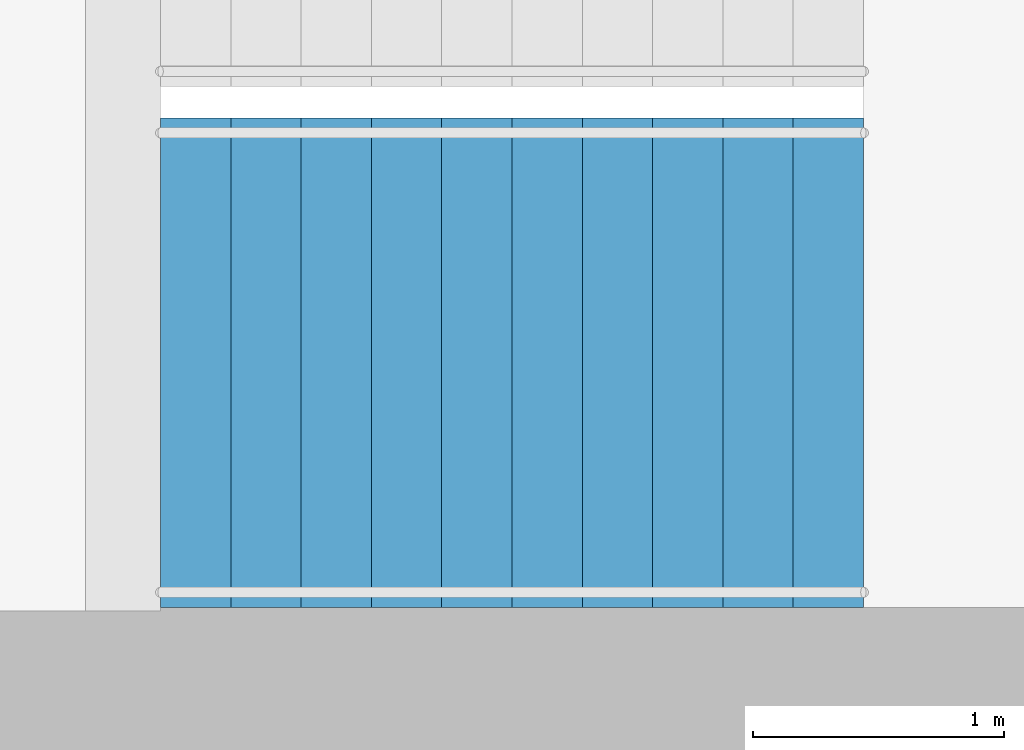
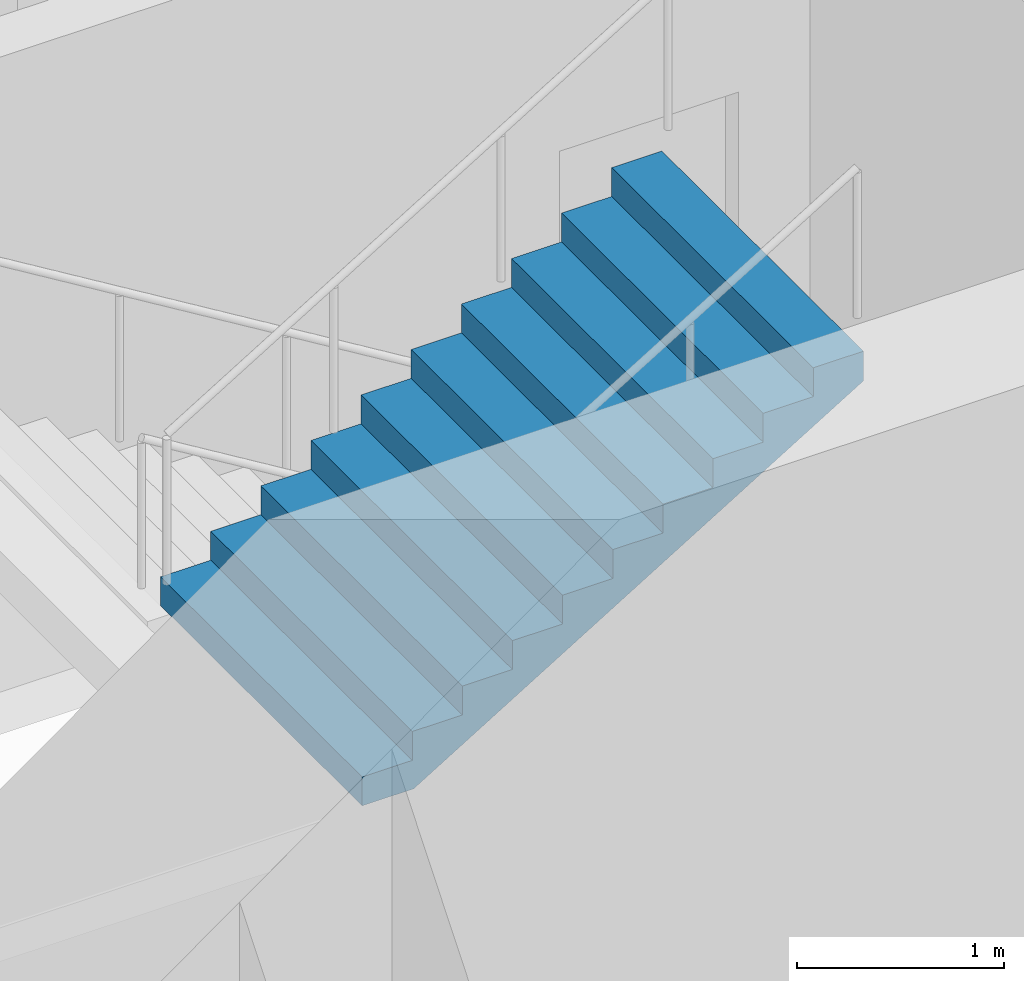
# One storey, part 20 of 22: 1 stair flight, 1 element without a shape of its own.
"""IFC4 building model written with IfcOpenShell, lengths in metres."""

from ifc_helpers import new_model, si_unit, direction, frame, origin, place, context, subcontext, project, spatial, triangles, material, type_object, element, aggregate, save


model = new_model("IFC4")

# Units and contexts
model_context = context("Model", 3, precision=1e-05, world=origin(), true_north=direction((0.0, 1.0)))
body_context = subcontext(model_context, "Body", "Model", "MODEL_VIEW")
ifc_project = project(units=[si_unit("LENGTHUNIT", "METRE"), si_unit("AREAUNIT", "SQUARE_METRE"), si_unit("VOLUMEUNIT", "CUBIC_METRE"), si_unit("PLANEANGLEUNIT", "RADIAN"), si_unit("MASSUNIT", "GRAM", prefix="KILO")], contexts=[model_context])

# Site, building, storey
site_placement = place(None, origin())
site = spatial("IfcSite", under=ifc_project, at=site_placement, CompositionType="ELEMENT")
building_placement = place(site_placement, origin())
building = spatial("IfcBuilding", under=site, at=building_placement, Name="Orbita Commons", CompositionType="ELEMENT")
storey_placement = place(building_placement, frame((0.0, 0.0, 167.35009765625)))
storey = spatial("IfcBuildingStorey", under=building, at=storey_placement, Name="L41", CompositionType="ELEMENT", Elevation=167.35009765625)

# Stair, stair flight
ifc_material_1 = material(Name="Precast concrete C40/50", Category="concrete")
stair_type = type_object("IfcStairType", Name="Exit stair S2 2 flights 11 risers 170", PredefinedType="HALF_TURN_STAIR", material=ifc_material_1)
stair_placement = place(storey_placement, origin())
stair = element("IfcStair", 1, at=stair_placement, inside=storey, type_object=stair_type, Name="Exit stair S2 L41", PredefinedType="HALF_TURN_STAIR")
ifc_material_2 = material(Name="Precast concrete C40/50", Category="concrete")
stair_flight_type = type_object("IfcStairFlightType", Name="Stair flight 11 risers 170 x 280", PredefinedType="STRAIGHT", material=ifc_material_2)
stair_flight_placement = place(storey_placement, frame((60.75, 27.199951171875, 1.875), z_axis=(0.0, 0.0, 1.0), x_axis=(1.0, 0.0, 0.0)))
stair_flight = element("IfcStairFlight", 2, at=stair_flight_placement, type_object=stair_flight_type, Name="S2 flight 2", NumberOfRisers=11, NumberOfTreads=10, PredefinedType="STRAIGHT", RiserHeight=0.170454545, TreadLength=0.28, context=body_context, shape_type="Tessellation", body=[
    triangles([(0.0, 0.974976, 0.0), (0.0, 0.974976, 0.021307), (0.0, 0.81248, 0.021307), (0.0, 0.81248, 0.0), (0.0, 0.649984, 0.021307), (0.0, 0.649984, 0.0), (0.0, 0.487488, 0.021307), (0.0, 0.487488, 0.0), (0.0, 0.324992, 0.021307), (0.0, 0.324992, 0.0), (0.0, 0.162496, 0.021307), (0.0, 0.162496, 0.0), (0.0, 0.0, 0.021307), (0.0, 0.0, 0.0), (0.0, -0.162496, 0.021307), (0.0, -0.162496, 0.0), (0.0, -0.324992, 0.021307), (0.0, -0.324992, 0.0), (0.0, -0.487488, 0.021307), (0.0, -0.487488, 0.0), (0.0, -0.649984, 0.021307), (0.0, -0.649984, 0.0), (0.0, -0.81248, 0.021307), (0.0, -0.81248, 0.0), (0.0, -0.974976, 0.021307), (0.0, -0.974976, 0.0), (0.0, 0.974976, 0.042614), (0.0, 0.81248, 0.042614), (0.0, 0.649984, 0.042614), (0.0, 0.487488, 0.042614), (0.0, 0.324992, 0.042614), (0.0, 0.162496, 0.042614), (0.0, 0.0, 0.042614), (0.0, -0.162496, 0.042614), (0.0, -0.324992, 0.042614), (0.0, -0.487488, 0.042614), (0.0, -0.649984, 0.042614), (0.0, -0.81248, 0.042614), (0.0, -0.974976, 0.042614), (0.0, 0.974976, 0.06392), (0.0, 0.81248, 0.06392), (0.0, 0.649984, 0.06392), (0.0, 0.487488, 0.06392), (0.0, 0.324992, 0.06392), (0.0, 0.162496, 0.06392), (0.0, 0.0, 0.06392), (0.0, -0.162496, 0.06392), (0.0, -0.324992, 0.06392), (0.0, -0.487488, 0.06392), (0.0, -0.649984, 0.06392), (0.0, -0.81248, 0.06392), (0.0, -0.974976, 0.06392), (0.0, 0.974976, 0.085227), (0.0, 0.81248, 0.085227), (0.0, 0.649984, 0.085227), (0.0, 0.487488, 0.085227), (0.0, 0.324992, 0.085227), (0.0, 0.162496, 0.085227), (0.0, 0.0, 0.085227), (0.0, -0.162496, 0.085227), (0.0, -0.324992, 0.085227), (0.0, -0.487488, 0.085227), (0.0, -0.649984, 0.085227), (0.0, -0.81248, 0.085227), (0.0, -0.974976, 0.085227), (0.0, 0.974976, 0.106534), (0.0, 0.81248, 0.106534), (0.0, 0.649984, 0.106534), (0.0, 0.487488, 0.106534), (0.0, 0.324992, 0.106534), (0.0, 0.162496, 0.106534), (0.0, 0.0, 0.106534), (0.0, -0.162496, 0.106534), (0.0, -0.324992, 0.106534), (0.0, -0.487488, 0.106534), (0.0, -0.649984, 0.106534), (0.0, -0.81248, 0.106534), (0.0, -0.974976, 0.106534), (0.0, 0.974976, 0.127841), (0.0, 0.81248, 0.127841), (0.0, 0.649984, 0.127841), (0.0, 0.487488, 0.127841), (0.0, 0.324992, 0.127841), (0.0, 0.162496, 0.127841), (0.0, 0.0, 0.127841), (0.0, -0.162496, 0.127841), (0.0, -0.324992, 0.127841), (0.0, -0.487488, 0.127841), (0.0, -0.649984, 0.127841), (0.0, -0.81248, 0.127841), (0.0, -0.974976, 0.127841), (0.0, 0.974976, 0.149148), (0.0, 0.81248, 0.149148), (0.0, 0.649984, 0.149148), (0.0, 0.487488, 0.149148), (0.0, 0.324992, 0.149148), (0.0, 0.162496, 0.149148), (0.0, 0.0, 0.149148), (0.0, -0.162496, 0.149148), (0.0, -0.324992, 0.149148), (0.0, -0.487488, 0.149148), (0.0, -0.649984, 0.149148), (0.0, -0.81248, 0.149148), (0.0, -0.974976, 0.149148), (0.0, 0.974976, 0.170455), (0.0, 0.81248, 0.170455), (0.0, 0.649984, 0.170455), (0.0, 0.487488, 0.170455), (0.0, 0.324992, 0.170455), (0.0, 0.162496, 0.170455), (0.0, 0.0, 0.170455), (0.0, -0.162496, 0.170455), (0.0, -0.324992, 0.170455), (0.0, -0.487488, 0.170455), (0.0, -0.649984, 0.170455), (0.0, -0.81248, 0.170455), (0.0, -0.974976, 0.170455), (0.28, 0.974976, 0.170455), (0.28, 0.81248, 0.170455), (0.28, 0.649984, 0.170455), (0.28, 0.487488, 0.170455), (0.28, 0.324992, 0.170455), (0.28, 0.162496, 0.170455), (0.28, 0.0, 0.170455), (0.28, -0.162496, 0.170455), (0.28, -0.324992, 0.170455), (0.28, -0.487488, 0.170455), (0.28, -0.649984, 0.170455), (0.28, -0.81248, 0.170455), (0.28, -0.974976, 0.170455), (0.28, 0.974976, 0.340909), (0.28, 0.81248, 0.340909), (0.28, 0.649984, 0.340909), (0.28, 0.487488, 0.340909), (0.28, 0.324992, 0.340909), (0.28, 0.162496, 0.340909), (0.28, 0.0, 0.340909), (0.28, -0.162496, 0.340909), (0.28, -0.324992, 0.340909), (0.28, -0.487488, 0.340909), (0.28, -0.649984, 0.340909), (0.28, -0.81248, 0.340909), (0.28, -0.974976, 0.340909), (0.56, 0.974976, 0.340909), (0.56, 0.81248, 0.340909), (0.56, 0.649984, 0.340909), (0.56, 0.487488, 0.340909), (0.56, 0.324992, 0.340909), (0.56, 0.162496, 0.340909), (0.56, 0.0, 0.340909), (0.56, -0.162496, 0.340909), (0.56, -0.324992, 0.340909), (0.56, -0.487488, 0.340909), (0.56, -0.649984, 0.340909), (0.56, -0.81248, 0.340909), (0.56, -0.974976, 0.340909), (0.56, 0.974976, 0.511364), (0.56, 0.81248, 0.511364), (0.56, 0.649984, 0.511364), (0.56, 0.487488, 0.511364), (0.56, 0.324992, 0.511364), (0.56, 0.162496, 0.511364), (0.56, 0.0, 0.511364), (0.56, -0.162496, 0.511364), (0.56, -0.324992, 0.511364), (0.56, -0.487488, 0.511364), (0.56, -0.649984, 0.511364), (0.56, -0.81248, 0.511364), (0.56, -0.974976, 0.511364), (0.84, 0.974976, 0.511364), (0.84, 0.81248, 0.511364), (0.84, 0.649984, 0.511364), (0.84, 0.487488, 0.511364), (0.84, 0.324992, 0.511364), (0.84, 0.162496, 0.511364), (0.84, 0.0, 0.511364), (0.84, -0.162496, 0.511364), (0.84, -0.324992, 0.511364), (0.84, -0.487488, 0.511364), (0.84, -0.649984, 0.511364), (0.84, -0.81248, 0.511364), (0.84, -0.974976, 0.511364), (0.84, 0.974976, 0.681818), (0.84, 0.81248, 0.681818), (0.84, 0.649984, 0.681818), (0.84, 0.487488, 0.681818), (0.84, 0.324992, 0.681818), (0.84, 0.162496, 0.681818), (0.84, 0.0, 0.681818), (0.84, -0.162496, 0.681818), (0.84, -0.324992, 0.681818), (0.84, -0.487488, 0.681818), (0.84, -0.649984, 0.681818), (0.84, -0.81248, 0.681818), (0.84, -0.974976, 0.681818), (1.12, 0.974976, 0.681818), (1.12, 0.81248, 0.681818), (1.12, 0.649984, 0.681818), (1.12, 0.487488, 0.681818), (1.12, 0.324992, 0.681818), (1.12, 0.162496, 0.681818), (1.12, 0.0, 0.681818), (1.12, -0.162496, 0.681818), (1.12, -0.324992, 0.681818), (1.12, -0.487488, 0.681818), (1.12, -0.649984, 0.681818), (1.12, -0.81248, 0.681818), (1.12, -0.974976, 0.681818), (1.12, 0.974976, 0.852273), (1.12, 0.81248, 0.852273), (1.12, 0.649984, 0.852273), (1.12, 0.487488, 0.852273), (1.12, 0.324992, 0.852273), (1.12, 0.162496, 0.852273), (1.12, 0.0, 0.852273), (1.12, -0.162496, 0.852273), (1.12, -0.324992, 0.852273), (1.12, -0.487488, 0.852273), (1.12, -0.649984, 0.852273), (1.12, -0.81248, 0.852273), (1.12, -0.974976, 0.852273), (1.4, 0.974976, 0.852273), (1.4, 0.81248, 0.852273), (1.4, 0.649984, 0.852273), (1.4, 0.487488, 0.852273), (1.4, 0.324992, 0.852273), (1.4, 0.162496, 0.852273), (1.4, 0.0, 0.852273), (1.4, -0.162496, 0.852273), (1.4, -0.324992, 0.852273), (1.4, -0.487488, 0.852273), (1.4, -0.649984, 0.852273), (1.4, -0.81248, 0.852273), (1.4, -0.974976, 0.852273), (1.4, 0.974976, 1.022727), (1.4, 0.81248, 1.022727), (1.4, 0.649984, 1.022727), (1.4, 0.487488, 1.022727), (1.4, 0.324992, 1.022727), (1.4, 0.162496, 1.022727), (1.4, 0.0, 1.022727), (1.4, -0.162496, 1.022727), (1.4, -0.324992, 1.022727), (1.4, -0.487488, 1.022727), (1.4, -0.649984, 1.022727), (1.4, -0.81248, 1.022727), (1.4, -0.974976, 1.022727), (1.68, 0.974976, 1.022727), (1.68, 0.81248, 1.022727), (1.68, 0.649984, 1.022727), (1.68, 0.487488, 1.022727), (1.68, 0.324992, 1.022727), (1.68, 0.162496, 1.022727), (1.68, 0.0, 1.022727), (1.68, -0.162496, 1.022727), (1.68, -0.324992, 1.022727), (1.68, -0.487488, 1.022727), (1.68, -0.649984, 1.022727), (1.68, -0.81248, 1.022727), (1.68, -0.974976, 1.022727), (1.68, 0.974976, 1.193182), (1.68, 0.81248, 1.193182), (1.68, 0.649984, 1.193182), (1.68, 0.487488, 1.193182), (1.68, 0.324992, 1.193182), (1.68, 0.162496, 1.193182), (1.68, 0.0, 1.193182), (1.68, -0.162496, 1.193182), (1.68, -0.324992, 1.193182), (1.68, -0.487488, 1.193182), (1.68, -0.649984, 1.193182), (1.68, -0.81248, 1.193182), (1.68, -0.974976, 1.193182), (1.96, 0.974976, 1.193182), (1.96, 0.81248, 1.193182), (1.96, 0.649984, 1.193182), (1.96, 0.487488, 1.193182), (1.96, 0.324992, 1.193182), (1.96, 0.162496, 1.193182), (1.96, 0.0, 1.193182), (1.96, -0.162496, 1.193182), (1.96, -0.324992, 1.193182), (1.96, -0.487488, 1.193182), (1.96, -0.649984, 1.193182), (1.96, -0.81248, 1.193182), (1.96, -0.974976, 1.193182), (1.96, 0.974976, 1.363636), (1.96, 0.81248, 1.363636), (1.96, 0.649984, 1.363636), (1.96, 0.487488, 1.363636), (1.96, 0.324992, 1.363636), (1.96, 0.162496, 1.363636), (1.96, 0.0, 1.363636), (1.96, -0.162496, 1.363636), (1.96, -0.324992, 1.363636), (1.96, -0.487488, 1.363636), (1.96, -0.649984, 1.363636), (1.96, -0.81248, 1.363636), (1.96, -0.974976, 1.363636), (2.24, 0.974976, 1.363636), (2.24, 0.81248, 1.363636), (2.24, 0.649984, 1.363636), (2.24, 0.487488, 1.363636), (2.24, 0.324992, 1.363636), (2.24, 0.162496, 1.363636), (2.24, 0.0, 1.363636), (2.24, -0.162496, 1.363636), (2.24, -0.324992, 1.363636), (2.24, -0.487488, 1.363636), (2.24, -0.649984, 1.363636), (2.24, -0.81248, 1.363636), (2.24, -0.974976, 1.363636), (2.24, 0.974976, 1.534091), (2.24, 0.81248, 1.534091), (2.24, 0.649984, 1.534091), (2.24, 0.487488, 1.534091), (2.24, 0.324992, 1.534091), (2.24, 0.162496, 1.534091), (2.24, 0.0, 1.534091), (2.24, -0.162496, 1.534091), (2.24, -0.324992, 1.534091), (2.24, -0.487488, 1.534091), (2.24, -0.649984, 1.534091), (2.24, -0.81248, 1.534091), (2.24, -0.974976, 1.534091), (2.52, 0.974976, 1.534091), (2.52, 0.81248, 1.534091), (2.52, 0.649984, 1.534091), (2.52, 0.487488, 1.534091), (2.52, 0.324992, 1.534091), (2.52, 0.162496, 1.534091), (2.52, 0.0, 1.534091), (2.52, -0.162496, 1.534091), (2.52, -0.324992, 1.534091), (2.52, -0.487488, 1.534091), (2.52, -0.649984, 1.534091), (2.52, -0.81248, 1.534091), (2.52, -0.974976, 1.534091), (2.52, 0.974976, 1.704545), (2.52, 0.81248, 1.704545), (2.52, 0.649984, 1.704545), (2.52, 0.487488, 1.704545), (2.52, 0.324992, 1.704545), (2.52, 0.162496, 1.704545), (2.52, 0.0, 1.704545), (2.52, -0.162496, 1.704545), (2.52, -0.324992, 1.704545), (2.52, -0.487488, 1.704545), (2.52, -0.649984, 1.704545), (2.52, -0.81248, 1.704545), (2.52, -0.974976, 1.704545), (2.8, 0.974976, 1.704545), (2.8, 0.81248, 1.704545), (2.8, 0.649984, 1.704545), (2.8, 0.487488, 1.704545), (2.8, 0.324992, 1.704545), (2.8, 0.162496, 1.704545), (2.8, 0.0, 1.704545), (2.8, -0.162496, 1.704545), (2.8, -0.324992, 1.704545), (2.8, -0.487488, 1.704545), (2.8, -0.649984, 1.704545), (2.8, -0.81248, 1.704545), (2.8, -0.974976, 1.704545), (2.8, 0.974976, 1.682609), (2.8, 0.81248, 1.682609), (2.8, 0.649984, 1.682609), (2.8, 0.487488, 1.682609), (2.8, 0.324992, 1.682609), (2.8, 0.162496, 1.682609), (2.8, 0.0, 1.682609), (2.8, -0.162496, 1.682609), (2.8, -0.324992, 1.682609), (2.8, -0.487488, 1.682609), (2.8, -0.649984, 1.682609), (2.8, -0.81248, 1.682609), (2.8, -0.974976, 1.682609), (2.8, 0.974976, 1.660672), (2.8, 0.81248, 1.660672), (2.8, 0.649984, 1.660672), (2.8, 0.487488, 1.660672), (2.8, 0.324992, 1.660672), (2.8, 0.162496, 1.660672), (2.8, 0.0, 1.660672), (2.8, -0.162496, 1.660672), (2.8, -0.324992, 1.660672), (2.8, -0.487488, 1.660672), (2.8, -0.649984, 1.660672), (2.8, -0.81248, 1.660672), (2.8, -0.974976, 1.660672), (2.8, 0.974976, 1.638735), (2.8, 0.81248, 1.638735), (2.8, 0.649984, 1.638735), (2.8, 0.487488, 1.638735), (2.8, 0.324992, 1.638735), (2.8, 0.162496, 1.638735), (2.8, 0.0, 1.638735), (2.8, -0.162496, 1.638735), (2.8, -0.324992, 1.638735), (2.8, -0.487488, 1.638735), (2.8, -0.649984, 1.638735), (2.8, -0.81248, 1.638735), (2.8, -0.974976, 1.638735), (2.8, 0.974976, 1.616798), (2.8, 0.81248, 1.616798), (2.8, 0.649984, 1.616798), (2.8, 0.487488, 1.616798), (2.8, 0.324992, 1.616798), (2.8, 0.162496, 1.616798), (2.8, 0.0, 1.616798), (2.8, -0.162496, 1.616798), (2.8, -0.324992, 1.616798), (2.8, -0.487488, 1.616798), (2.8, -0.649984, 1.616798), (2.8, -0.81248, 1.616798), (2.8, -0.974976, 1.616798), (2.8, 0.974976, 1.594861), (2.8, 0.81248, 1.594861), (2.8, 0.649984, 1.594861), (2.8, 0.487488, 1.594861), (2.8, 0.324992, 1.594861), (2.8, 0.162496, 1.594861), (2.8, 0.0, 1.594861), (2.8, -0.162496, 1.594861), (2.8, -0.324992, 1.594861), (2.8, -0.487488, 1.594861), (2.8, -0.649984, 1.594861), (2.8, -0.81248, 1.594861), (2.8, -0.974976, 1.594861), (2.8, 0.974976, 1.572925), (2.8, 0.81248, 1.572925), (2.8, 0.649984, 1.572925), (2.8, 0.487488, 1.572925), (2.8, 0.324992, 1.572925), (2.8, 0.162496, 1.572925), (2.8, 0.0, 1.572925), (2.8, -0.162496, 1.572925), (2.8, -0.324992, 1.572925), (2.8, -0.487488, 1.572925), (2.8, -0.649984, 1.572925), (2.8, -0.81248, 1.572925), (2.8, -0.974976, 1.572925), (2.8, 0.974976, 1.550988), (2.8, 0.81248, 1.550988), (2.8, 0.649984, 1.550988), (2.8, 0.487488, 1.550988), (2.8, 0.324992, 1.550988), (2.8, 0.162496, 1.550988), (2.8, 0.0, 1.550988), (2.8, -0.162496, 1.550988), (2.8, -0.324992, 1.550988), (2.8, -0.487488, 1.550988), (2.8, -0.649984, 1.550988), (2.8, -0.81248, 1.550988), (2.8, -0.974976, 1.550988), (2.8, 0.974976, 1.529051), (2.8, 0.81248, 1.529051), (2.8, 0.649984, 1.529051), (2.8, 0.487488, 1.529051), (2.8, 0.324992, 1.529051), (2.8, 0.162496, 1.529051), (2.8, 0.0, 1.529051), (2.8, -0.162496, 1.529051), (2.8, -0.324992, 1.529051), (2.8, -0.487488, 1.529051), (2.8, -0.649984, 1.529051), (2.8, -0.81248, 1.529051), (2.8, -0.974976, 1.529051), (0.288279, 0.974976, 0.0), (0.288279, 0.81248, 0.0), (0.288279, 0.649984, 0.0), (0.288279, 0.487488, 0.0), (0.288279, 0.324992, 0.0), (0.288279, 0.162496, 0.0), (0.288279, 0.0, 0.0), (0.288279, -0.162496, 0.0), (0.288279, -0.324992, 0.0), (0.288279, -0.487488, 0.0), (0.288279, -0.649984, 0.0), (0.288279, -0.81248, 0.0), (0.288279, -0.974976, 0.0)], [[3, 2, 1], [4, 3, 1], [5, 3, 4], [6, 5, 4], [7, 5, 6], [8, 7, 6], [9, 7, 8], [10, 9, 8], [11, 9, 10], [12, 11, 10], [13, 11, 12], [14, 13, 12], [15, 13, 14], [16, 15, 14], [17, 15, 16], [18, 17, 16], [19, 17, 18], [20, 19, 18], [21, 19, 20], [22, 21, 20], [23, 21, 22], [24, 23, 22], [25, 23, 24], [26, 25, 24], [28, 27, 2], [3, 28, 2], [29, 28, 3], [5, 29, 3], [30, 29, 5], [7, 30, 5], [31, 30, 7], [9, 31, 7], [32, 31, 9], [11, 32, 9], [33, 32, 11], [13, 33, 11], [34, 33, 13], [15, 34, 13], [35, 34, 15], [17, 35, 15], [36, 35, 17], [19, 36, 17], [37, 36, 19], [21, 37, 19], [38, 37, 21], [23, 38, 21], [39, 38, 23], [25, 39, 23], [41, 40, 27], [28, 41, 27], [42, 41, 28], [29, 42, 28], [43, 42, 29], [30, 43, 29], [44, 43, 30], [31, 44, 30], [45, 44, 31], [32, 45, 31], [46, 45, 32], [33, 46, 32], [47, 46, 33], [34, 47, 33], [48, 47, 34], [35, 48, 34], [49, 48, 35], [36, 49, 35], [50, 49, 36], [37, 50, 36], [51, 50, 37], [38, 51, 37], [52, 51, 38], [39, 52, 38], [54, 53, 40], [41, 54, 40], [55, 54, 41], [42, 55, 41], [56, 55, 42], [43, 56, 42], [57, 56, 43], [44, 57, 43], [58, 57, 44], [45, 58, 44], [59, 58, 45], [46, 59, 45], [60, 59, 46], [47, 60, 46], [61, 60, 47], [48, 61, 47], [62, 61, 48], [49, 62, 48], [63, 62, 49], [50, 63, 49], [64, 63, 50], [51, 64, 50], [65, 64, 51], [52, 65, 51], [67, 66, 53], [54, 67, 53], [68, 67, 54], [55, 68, 54], [69, 68, 55], [56, 69, 55], [70, 69, 56], [57, 70, 56], [71, 70, 57], [58, 71, 57], [72, 71, 58], [59, 72, 58], [73, 72, 59], [60, 73, 59], [74, 73, 60], [61, 74, 60], [75, 74, 61], [62, 75, 61], [76, 75, 62], [63, 76, 62], [77, 76, 63], [64, 77, 63], [78, 77, 64], [65, 78, 64], [80, 79, 66], [67, 80, 66], [81, 80, 67], [68, 81, 67], [82, 81, 68], [69, 82, 68], [83, 82, 69], [70, 83, 69], [84, 83, 70], [71, 84, 70], [85, 84, 71], [72, 85, 71], [86, 85, 72], [73, 86, 72], [87, 86, 73], [74, 87, 73], [88, 87, 74], [75, 88, 74], [89, 88, 75], [76, 89, 75], [90, 89, 76], [77, 90, 76], [91, 90, 77], [78, 91, 77], [93, 92, 79], [80, 93, 79], [94, 93, 80], [81, 94, 80], [95, 94, 81], [82, 95, 81], [96, 95, 82], [83, 96, 82], [97, 96, 83], [84, 97, 83], [98, 97, 84], [85, 98, 84], [99, 98, 85], [86, 99, 85], [100, 99, 86], [87, 100, 86], [101, 100, 87], [88, 101, 87], [102, 101, 88], [89, 102, 88], [103, 102, 89], [90, 103, 89], [104, 103, 90], [91, 104, 90], [106, 105, 92], [93, 106, 92], [107, 106, 93], [94, 107, 93], [108, 107, 94], [95, 108, 94], [109, 108, 95], [96, 109, 95], [110, 109, 96], [97, 110, 96], [111, 110, 97], [98, 111, 97], [112, 111, 98], [99, 112, 98], [113, 112, 99], [100, 113, 99], [114, 113, 100], [101, 114, 100], [115, 114, 101], [102, 115, 101], [116, 115, 102], [103, 116, 102], [117, 116, 103], [104, 117, 103], [119, 118, 105], [106, 119, 105], [120, 119, 106], [107, 120, 106], [121, 120, 107], [108, 121, 107], [122, 121, 108], [109, 122, 108], [123, 122, 109], [110, 123, 109], [124, 123, 110], [111, 124, 110], [125, 124, 111], [112, 125, 111], [126, 125, 112], [113, 126, 112], [127, 126, 113], [114, 127, 113], [128, 127, 114], [115, 128, 114], [129, 128, 115], [116, 129, 115], [130, 129, 116], [117, 130, 116], [132, 131, 118], [119, 132, 118], [133, 132, 119], [120, 133, 119], [134, 133, 120], [121, 134, 120], [135, 134, 121], [122, 135, 121], [136, 135, 122], [123, 136, 122], [137, 136, 123], [124, 137, 123], [138, 137, 124], [125, 138, 124], [139, 138, 125], [126, 139, 125], [140, 139, 126], [127, 140, 126], [141, 140, 127], [128, 141, 127], [142, 141, 128], [129, 142, 128], [143, 142, 129], [130, 143, 129], [145, 144, 131], [132, 145, 131], [146, 145, 132], [133, 146, 132], [147, 146, 133], [134, 147, 133], [148, 147, 134], [135, 148, 134], [149, 148, 135], [136, 149, 135], [150, 149, 136], [137, 150, 136], [151, 150, 137], [138, 151, 137], [152, 151, 138], [139, 152, 138], [153, 152, 139], [140, 153, 139], [154, 153, 140], [141, 154, 140], [155, 154, 141], [142, 155, 141], [156, 155, 142], [143, 156, 142], [158, 157, 144], [145, 158, 144], [159, 158, 145], [146, 159, 145], [160, 159, 146], [147, 160, 146], [161, 160, 147], [148, 161, 147], [162, 161, 148], [149, 162, 148], [163, 162, 149], [150, 163, 149], [164, 163, 150], [151, 164, 150], [165, 164, 151], [152, 165, 151], [166, 165, 152], [153, 166, 152], [167, 166, 153], [154, 167, 153], [168, 167, 154], [155, 168, 154], [169, 168, 155], [156, 169, 155], [171, 170, 157], [158, 171, 157], [172, 171, 158], [159, 172, 158], [173, 172, 159], [160, 173, 159], [174, 173, 160], [161, 174, 160], [175, 174, 161], [162, 175, 161], [176, 175, 162], [163, 176, 162], [177, 176, 163], [164, 177, 163], [178, 177, 164], [165, 178, 164], [179, 178, 165], [166, 179, 165], [180, 179, 166], [167, 180, 166], [181, 180, 167], [168, 181, 167], [182, 181, 168], [169, 182, 168], [184, 183, 170], [171, 184, 170], [185, 184, 171], [172, 185, 171], [186, 185, 172], [173, 186, 172], [187, 186, 173], [174, 187, 173], [188, 187, 174], [175, 188, 174], [189, 188, 175], [176, 189, 175], [190, 189, 176], [177, 190, 176], [191, 190, 177], [178, 191, 177], [192, 191, 178], [179, 192, 178], [193, 192, 179], [180, 193, 179], [194, 193, 180], [181, 194, 180], [195, 194, 181], [182, 195, 181], [197, 196, 183], [184, 197, 183], [198, 197, 184], [185, 198, 184], [199, 198, 185], [186, 199, 185], [200, 199, 186], [187, 200, 186], [201, 200, 187], [188, 201, 187], [202, 201, 188], [189, 202, 188], [203, 202, 189], [190, 203, 189], [204, 203, 190], [191, 204, 190], [205, 204, 191], [192, 205, 191], [206, 205, 192], [193, 206, 192], [207, 206, 193], [194, 207, 193], [208, 207, 194], [195, 208, 194], [210, 209, 196], [197, 210, 196], [211, 210, 197], [198, 211, 197], [212, 211, 198], [199, 212, 198], [213, 212, 199], [200, 213, 199], [214, 213, 200], [201, 214, 200], [215, 214, 201], [202, 215, 201], [216, 215, 202], [203, 216, 202], [217, 216, 203], [204, 217, 203], [218, 217, 204], [205, 218, 204], [219, 218, 205], [206, 219, 205], [220, 219, 206], [207, 220, 206], [221, 220, 207], [208, 221, 207], [223, 222, 209], [210, 223, 209], [224, 223, 210], [211, 224, 210], [225, 224, 211], [212, 225, 211], [226, 225, 212], [213, 226, 212], [227, 226, 213], [214, 227, 213], [228, 227, 214], [215, 228, 214], [229, 228, 215], [216, 229, 215], [230, 229, 216], [217, 230, 216], [231, 230, 217], [218, 231, 217], [232, 231, 218], [219, 232, 218], [233, 232, 219], [220, 233, 219], [234, 233, 220], [221, 234, 220], [236, 235, 222], [223, 236, 222], [237, 236, 223], [224, 237, 223], [238, 237, 224], [225, 238, 224], [239, 238, 225], [226, 239, 225], [240, 239, 226], [227, 240, 226], [241, 240, 227], [228, 241, 227], [242, 241, 228], [229, 242, 228], [243, 242, 229], [230, 243, 229], [244, 243, 230], [231, 244, 230], [245, 244, 231], [232, 245, 231], [246, 245, 232], [233, 246, 232], [247, 246, 233], [234, 247, 233], [249, 248, 235], [236, 249, 235], [250, 249, 236], [237, 250, 236], [251, 250, 237], [238, 251, 237], [252, 251, 238], [239, 252, 238], [253, 252, 239], [240, 253, 239], [254, 253, 240], [241, 254, 240], [255, 254, 241], [242, 255, 241], [256, 255, 242], [243, 256, 242], [257, 256, 243], [244, 257, 243], [258, 257, 244], [245, 258, 244], [259, 258, 245], [246, 259, 245], [260, 259, 246], [247, 260, 246], [262, 261, 248], [249, 262, 248], [263, 262, 249], [250, 263, 249], [264, 263, 250], [251, 264, 250], [265, 264, 251], [252, 265, 251], [266, 265, 252], [253, 266, 252], [267, 266, 253], [254, 267, 253], [268, 267, 254], [255, 268, 254], [269, 268, 255], [256, 269, 255], [270, 269, 256], [257, 270, 256], [271, 270, 257], [258, 271, 257], [272, 271, 258], [259, 272, 258], [273, 272, 259], [260, 273, 259], [275, 274, 261], [262, 275, 261], [276, 275, 262], [263, 276, 262], [277, 276, 263], [264, 277, 263], [278, 277, 264], [265, 278, 264], [279, 278, 265], [266, 279, 265], [280, 279, 266], [267, 280, 266], [281, 280, 267], [268, 281, 267], [282, 281, 268], [269, 282, 268], [283, 282, 269], [270, 283, 269], [284, 283, 270], [271, 284, 270], [285, 284, 271], [272, 285, 271], [286, 285, 272], [273, 286, 272], [288, 287, 274], [275, 288, 274], [289, 288, 275], [276, 289, 275], [290, 289, 276], [277, 290, 276], [291, 290, 277], [278, 291, 277], [292, 291, 278], [279, 292, 278], [293, 292, 279], [280, 293, 279], [294, 293, 280], [281, 294, 280], [295, 294, 281], [282, 295, 281], [296, 295, 282], [283, 296, 282], [297, 296, 283], [284, 297, 283], [298, 297, 284], [285, 298, 284], [299, 298, 285], [286, 299, 285], [301, 300, 287], [288, 301, 287], [302, 301, 288], [289, 302, 288], [303, 302, 289], [290, 303, 289], [304, 303, 290], [291, 304, 290], [305, 304, 291], [292, 305, 291], [306, 305, 292], [293, 306, 292], [307, 306, 293], [294, 307, 293], [308, 307, 294], [295, 308, 294], [309, 308, 295], [296, 309, 295], [310, 309, 296], [297, 310, 296], [311, 310, 297], [298, 311, 297], [312, 311, 298], [299, 312, 298], [314, 313, 300], [301, 314, 300], [315, 314, 301], [302, 315, 301], [316, 315, 302], [303, 316, 302], [317, 316, 303], [304, 317, 303], [318, 317, 304], [305, 318, 304], [319, 318, 305], [306, 319, 305], [320, 319, 306], [307, 320, 306], [321, 320, 307], [308, 321, 307], [322, 321, 308], [309, 322, 308], [323, 322, 309], [310, 323, 309], [324, 323, 310], [311, 324, 310], [325, 324, 311], [312, 325, 311], [327, 326, 313], [314, 327, 313], [328, 327, 314], [315, 328, 314], [329, 328, 315], [316, 329, 315], [330, 329, 316], [317, 330, 316], [331, 330, 317], [318, 331, 317], [332, 331, 318], [319, 332, 318], [333, 332, 319], [320, 333, 319], [334, 333, 320], [321, 334, 320], [335, 334, 321], [322, 335, 321], [336, 335, 322], [323, 336, 322], [337, 336, 323], [324, 337, 323], [338, 337, 324], [325, 338, 324], [340, 339, 326], [327, 340, 326], [341, 340, 327], [328, 341, 327], [342, 341, 328], [329, 342, 328], [343, 342, 329], [330, 343, 329], [344, 343, 330], [331, 344, 330], [345, 344, 331], [332, 345, 331], [346, 345, 332], [333, 346, 332], [347, 346, 333], [334, 347, 333], [348, 347, 334], [335, 348, 334], [349, 348, 335], [336, 349, 335], [350, 349, 336], [337, 350, 336], [351, 350, 337], [338, 351, 337], [353, 352, 339], [340, 353, 339], [354, 353, 340], [341, 354, 340], [355, 354, 341], [342, 355, 341], [356, 355, 342], [343, 356, 342], [357, 356, 343], [344, 357, 343], [358, 357, 344], [345, 358, 344], [359, 358, 345], [346, 359, 345], [360, 359, 346], [347, 360, 346], [361, 360, 347], [348, 361, 347], [362, 361, 348], [349, 362, 348], [363, 362, 349], [350, 363, 349], [364, 363, 350], [351, 364, 350], [366, 365, 352], [353, 366, 352], [367, 366, 353], [354, 367, 353], [368, 367, 354], [355, 368, 354], [369, 368, 355], [356, 369, 355], [370, 369, 356], [357, 370, 356], [371, 370, 357], [358, 371, 357], [372, 371, 358], [359, 372, 358], [373, 372, 359], [360, 373, 359], [374, 373, 360], [361, 374, 360], [375, 374, 361], [362, 375, 361], [376, 375, 362], [363, 376, 362], [377, 376, 363], [364, 377, 363], [379, 378, 365], [366, 379, 365], [380, 379, 366], [367, 380, 366], [381, 380, 367], [368, 381, 367], [382, 381, 368], [369, 382, 368], [383, 382, 369], [370, 383, 369], [384, 383, 370], [371, 384, 370], [385, 384, 371], [372, 385, 371], [386, 385, 372], [373, 386, 372], [387, 386, 373], [374, 387, 373], [388, 387, 374], [375, 388, 374], [389, 388, 375], [376, 389, 375], [390, 389, 376], [377, 390, 376], [392, 391, 378], [379, 392, 378], [393, 392, 379], [380, 393, 379], [394, 393, 380], [381, 394, 380], [395, 394, 381], [382, 395, 381], [396, 395, 382], [383, 396, 382], [397, 396, 383], [384, 397, 383], [398, 397, 384], [385, 398, 384], [399, 398, 385], [386, 399, 385], [400, 399, 386], [387, 400, 386], [401, 400, 387], [388, 401, 387], [402, 401, 388], [389, 402, 388], [403, 402, 389], [390, 403, 389], [405, 404, 391], [392, 405, 391], [406, 405, 392], [393, 406, 392], [407, 406, 393], [394, 407, 393], [408, 407, 394], [395, 408, 394], [409, 408, 395], [396, 409, 395], [410, 409, 396], [397, 410, 396], [411, 410, 397], [398, 411, 397], [412, 411, 398], [399, 412, 398], [413, 412, 399], [400, 413, 399], [414, 413, 400], [401, 414, 400], [415, 414, 401], [402, 415, 401], [416, 415, 402], [403, 416, 402], [418, 417, 404], [405, 418, 404], [419, 418, 405], [406, 419, 405], [420, 419, 406], [407, 420, 406], [421, 420, 407], [408, 421, 407], [422, 421, 408], [409, 422, 408], [423, 422, 409], [410, 423, 409], [424, 423, 410], [411, 424, 410], [425, 424, 411], [412, 425, 411], [426, 425, 412], [413, 426, 412], [427, 426, 413], [414, 427, 413], [428, 427, 414], [415, 428, 414], [429, 428, 415], [416, 429, 415], [431, 430, 417], [418, 431, 417], [432, 431, 418], [419, 432, 418], [433, 432, 419], [420, 433, 419], [434, 433, 420], [421, 434, 420], [435, 434, 421], [422, 435, 421], [436, 435, 422], [423, 436, 422], [437, 436, 423], [424, 437, 423], [438, 437, 424], [425, 438, 424], [439, 438, 425], [426, 439, 425], [440, 439, 426], [427, 440, 426], [441, 440, 427], [428, 441, 427], [442, 441, 428], [429, 442, 428], [444, 443, 430], [431, 444, 430], [445, 444, 431], [432, 445, 431], [446, 445, 432], [433, 446, 432], [447, 446, 433], [434, 447, 433], [448, 447, 434], [435, 448, 434], [449, 448, 435], [436, 449, 435], [450, 449, 436], [437, 450, 436], [451, 450, 437], [438, 451, 437], [452, 451, 438], [439, 452, 438], [453, 452, 439], [440, 453, 439], [454, 453, 440], [441, 454, 440], [455, 454, 441], [442, 455, 441], [457, 456, 443], [444, 457, 443], [458, 457, 444], [445, 458, 444], [459, 458, 445], [446, 459, 445], [460, 459, 446], [447, 460, 446], [461, 460, 447], [448, 461, 447], [462, 461, 448], [449, 462, 448], [463, 462, 449], [450, 463, 449], [464, 463, 450], [451, 464, 450], [465, 464, 451], [452, 465, 451], [466, 465, 452], [453, 466, 452], [467, 466, 453], [454, 467, 453], [468, 467, 454], [455, 468, 454], [470, 469, 456], [457, 470, 456], [471, 470, 457], [458, 471, 457], [472, 471, 458], [459, 472, 458], [473, 472, 459], [460, 473, 459], [474, 473, 460], [461, 474, 460], [475, 474, 461], [462, 475, 461], [476, 475, 462], [463, 476, 462], [477, 476, 463], [464, 477, 463], [478, 477, 464], [465, 478, 464], [479, 478, 465], [466, 479, 465], [480, 479, 466], [467, 480, 466], [481, 480, 467], [468, 481, 467], [4, 1, 469], [470, 4, 469], [6, 4, 470], [471, 6, 470], [8, 6, 471], [472, 8, 471], [10, 8, 472], [473, 10, 472], [12, 10, 473], [474, 12, 473], [14, 12, 474], [475, 14, 474], [16, 14, 475], [476, 16, 475], [18, 16, 476], [477, 18, 476], [20, 18, 477], [478, 20, 477], [22, 20, 478], [479, 22, 478], [24, 22, 479], [480, 24, 479], [26, 24, 480], [481, 26, 480], [456, 469, 1], [26, 481, 468], [443, 456, 1], [26, 468, 455], [430, 443, 1], [26, 455, 442], [417, 430, 1], [26, 442, 429], [404, 417, 1], [26, 429, 416], [391, 404, 1], [26, 416, 403], [378, 391, 1], [26, 403, 390], [365, 378, 1], [26, 390, 377], [339, 352, 365], [377, 364, 351], [326, 339, 365], [377, 351, 338], [300, 313, 326], [338, 325, 312], [300, 326, 365], [377, 338, 312], [274, 287, 300], [312, 299, 286], [274, 300, 365], [377, 312, 286], [248, 261, 274], [286, 273, 260], [248, 274, 365], [377, 286, 260], [222, 235, 248], [260, 247, 234], [222, 248, 365], [377, 260, 234], [196, 209, 222], [234, 221, 208], [196, 222, 365], [377, 234, 208], [170, 183, 196], [208, 195, 182], [170, 196, 365], [377, 208, 182], [144, 157, 170], [182, 169, 156], [144, 170, 365], [377, 182, 156], [118, 131, 144], [156, 143, 130], [118, 144, 365], [377, 156, 130], [118, 365, 1], [26, 377, 130], [92, 105, 118], [130, 117, 104], [79, 92, 118], [130, 104, 91], [66, 79, 118], [130, 91, 78], [53, 66, 118], [130, 78, 65], [40, 53, 118], [130, 65, 52], [27, 40, 118], [130, 52, 39], [2, 27, 118], [130, 39, 25], [1, 2, 118], [130, 25, 26]], closed=True),
])
aggregate(stair, [stair_flight])

save(model, "model.ifc")
